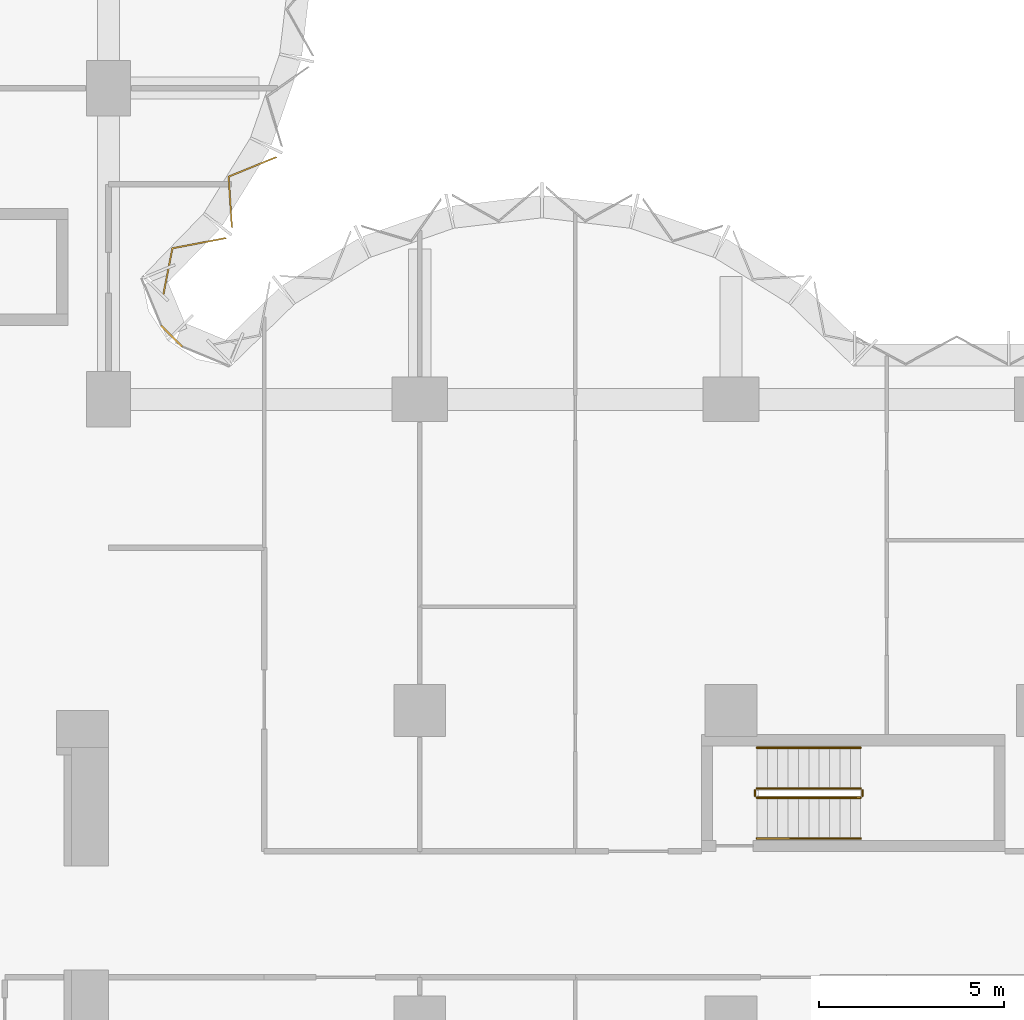
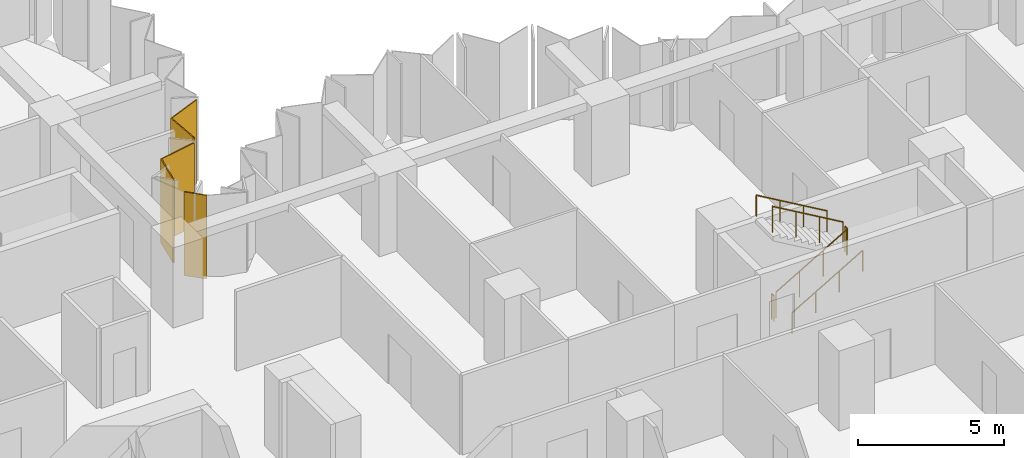
# One storey, part 14 of 15: 6 railings, 3 coverings, 2 elements without a shape of their own.
"""IFC4 building model written with IfcOpenShell, lengths in metres."""

from ifc_helpers import new_model, si_unit, direction, frame, origin, origin_2d, place, context, subcontext, project, spatial, polyline, circle, outline, extrude, material, layer, layer_set, type_object, element, aggregate, save


model = new_model("IFC4")

# Units and contexts
model_context = context("Model", 3, precision=1e-05, world=origin(), true_north=direction((0.0, 1.0)))
body_context = subcontext(model_context, "Body", "Model", "MODEL_VIEW")
ifc_project = project(units=[si_unit("LENGTHUNIT", "METRE"), si_unit("AREAUNIT", "SQUARE_METRE"), si_unit("VOLUMEUNIT", "CUBIC_METRE"), si_unit("PLANEANGLEUNIT", "RADIAN"), si_unit("MASSUNIT", "GRAM", prefix="KILO")], contexts=[model_context])

# Site, building, storey
site_placement = place(None, origin())
site = spatial("IfcSite", under=ifc_project, at=site_placement, CompositionType="ELEMENT")
building_placement = place(site_placement, origin())
building = spatial("IfcBuilding", under=site, at=building_placement, Name="Brevane Broadcast Tower", CompositionType="ELEMENT")
storey_placement = place(building_placement, frame((0.0, 0.0, 43.699951171875)))
storey = spatial("IfcBuildingStorey", under=building, at=storey_placement, Name="L08", CompositionType="ELEMENT", Elevation=43.699951171875)

# Railings
ifc_material_1 = material(Name="Steel S355", Category="steel")
railing_type_1 = type_object("IfcRailingType", Name="Exit stair guard", PredefinedType="GUARDRAIL", material=ifc_material_1)
railing_1_placement = place(storey_placement, frame((42.699951171875, 14.449951171875, 0.16357421875)))
element("IfcRailing", 1, at=railing_1_placement, inside=storey, type_object=railing_type_1, Name="L08 ST-4 stair guard 1", PredefinedType="GUARDRAIL", context=body_context, shape_type="SweptSolid", body=[
    extrude(circle(Radius=0.02392578125, at=origin_2d()), frame((0.0, 0.0, 1.076171875), z_axis=(0.863360870873, 0.0, 0.504586966384), x_axis=(0.0, 1.0, 0.0)), (0.0, 0.0, 1.0), 3.2431640625),
    extrude(circle(Radius=0.02099609375, at=origin_2d()), origin(), (0.0, 0.0, 1.0), 1.052001953125),
    extrude(circle(Radius=0.02099609375, at=origin_2d()), frame((0.933349609375, 0.0, 0.54541015625)), (0.0, 0.0, 1.0), 1.052001953125),
    extrude(circle(Radius=0.02099609375, at=origin_2d()), frame((1.86669921875, 0.0, 1.091064453125)), (0.0, 0.0, 1.0), 1.052001953125),
    extrude(circle(Radius=0.02099609375, at=origin_2d()), frame((2.800048828125, 0.0, 1.636474609375)), (0.0, 0.0, 1.0), 1.052001953125),
])
railing_2_placement = place(storey_placement, frame((45.550048828125, 14.5, 1.800048828125)))
element("IfcRailing", 2, at=railing_2_placement, inside=storey, type_object=railing_type_1, Name="L08 ST-4 stair guard 2", PredefinedType="GUARDRAIL", context=body_context, shape_type="SweptSolid", body=[
    extrude(circle(Radius=0.02392578125, at=origin_2d()), frame((0.0, 0.0, 1.076171875), z_axis=(0.0, 1.0, 0.0), x_axis=(-1.0, 0.0, 0.0)), (0.0, 0.0, 1.0), 0.14990234375),
    extrude(circle(Radius=0.02099609375, at=origin_2d()), origin(), (0.0, 0.0, 1.0), 1.052001953125),
    extrude(circle(Radius=0.02099609375, at=origin_2d()), frame((0.0, 0.14990234375, 0.0)), (0.0, 0.0, 1.0), 1.052001953125),
])
railing_3_placement = place(storey_placement, frame((45.5, 14.699951171875, 1.963623046875)))
element("IfcRailing", 3, at=railing_3_placement, inside=storey, type_object=railing_type_1, Name="L08 ST-4 stair guard 3", PredefinedType="GUARDRAIL", context=body_context, shape_type="SweptSolid", body=[
    extrude(circle(Radius=0.02392578125, at=origin_2d()), frame((0.0, 0.0, 1.076171875), z_axis=(-0.863360870873, 0.0, 0.504586966384), x_axis=(0.0, -1.0, 0.0)), (0.0, 0.0, 1.0), 3.2431640625),
    extrude(circle(Radius=0.02099609375, at=origin_2d()), origin(), (0.0, 0.0, 1.0), 1.052001953125),
    extrude(circle(Radius=0.02099609375, at=origin_2d()), frame((-0.933349609375, 0.0, 0.54541015625)), (0.0, 0.0, 1.0), 1.052001953125),
    extrude(circle(Radius=0.02099609375, at=origin_2d()), frame((-1.86669921875, 0.0, 1.091064453125)), (0.0, 0.0, 1.0), 1.052001953125),
    extrude(circle(Radius=0.02099609375, at=origin_2d()), frame((-2.800048828125, 0.0, 1.636474609375)), (0.0, 0.0, 1.0), 1.052001953125),
])
railing_4_placement = place(storey_placement, frame((42.64990234375, 14.5, 0.0)))
element("IfcRailing", 4, at=railing_4_placement, inside=storey, type_object=railing_type_1, Name="L08 ST-4 stair guard 4", PredefinedType="GUARDRAIL", context=body_context, shape_type="SweptSolid", body=[
    extrude(circle(Radius=0.02392578125, at=origin_2d()), frame((0.0, 0.0, 1.076171875), z_axis=(0.0, 1.0, 0.0), x_axis=(-1.0, 0.0, 0.0)), (0.0, 0.0, 1.0), 0.14990234375),
    extrude(circle(Radius=0.02099609375, at=origin_2d()), origin(), (0.0, 0.0, 1.0), 1.052001953125),
    extrude(circle(Radius=0.02099609375, at=origin_2d()), frame((0.0, 0.14990234375, 0.0)), (0.0, 0.0, 1.0), 1.052001953125),
])
railing_type_2 = type_object("IfcRailingType", Name="Exit stair handrail", PredefinedType="HANDRAIL", material=ifc_material_1)
railing_5_placement = place(storey_placement, frame((42.699951171875, 13.35009765625, 0.16357421875)))
element("IfcRailing", 5, at=railing_5_placement, inside=storey, type_object=railing_type_2, Name="L08 ST-4 stair handrail 1", PredefinedType="HANDRAIL", context=body_context, shape_type="SweptSolid", body=[
    extrude(circle(Radius=0.02392578125, at=origin_2d()), frame((0.0, 0.0, 0.8759765625), z_axis=(0.863360870873, 0.0, 0.504586966384), x_axis=(0.0, 1.0, 0.0)), (0.0, 0.0, 1.0), 3.2431640625),
    extrude(circle(Radius=0.02099609375, at=origin_2d()), origin(), (0.0, 0.0, 1.0), 0.851806640625),
    extrude(circle(Radius=0.02099609375, at=origin_2d()), frame((0.933349609375, 0.0, 0.54541015625)), (0.0, 0.0, 1.0), 0.851806640625),
    extrude(circle(Radius=0.02099609375, at=origin_2d()), frame((1.86669921875, 0.0, 1.091064453125)), (0.0, 0.0, 1.0), 0.851806640625),
    extrude(circle(Radius=0.02099609375, at=origin_2d()), frame((2.800048828125, 0.0, 1.636474609375)), (0.0, 0.0, 1.0), 0.851806640625),
])
railing_6_placement = place(storey_placement, frame((45.5, 15.800048828125, 1.963623046875)))
element("IfcRailing", 6, at=railing_6_placement, inside=storey, type_object=railing_type_2, Name="L08 ST-4 stair handrail 2", PredefinedType="HANDRAIL", context=body_context, shape_type="SweptSolid", body=[
    extrude(circle(Radius=0.02392578125, at=origin_2d()), frame((0.0, 0.0, 0.8759765625), z_axis=(-0.863360870873, 0.0, 0.504586966384), x_axis=(0.0, -1.0, 0.0)), (0.0, 0.0, 1.0), 3.2431640625),
    extrude(circle(Radius=0.02099609375, at=origin_2d()), origin(), (0.0, 0.0, 1.0), 0.851806640625),
    extrude(circle(Radius=0.02099609375, at=origin_2d()), frame((-0.933349609375, 0.0, 0.54541015625)), (0.0, 0.0, 1.0), 0.851806640625),
    extrude(circle(Radius=0.02099609375, at=origin_2d()), frame((-1.86669921875, 0.0, 1.091064453125)), (0.0, 0.0, 1.0), 0.851806640625),
    extrude(circle(Radius=0.02099609375, at=origin_2d()), frame((-2.800048828125, 0.0, 1.636474609375)), (0.0, 0.0, 1.0), 0.851806640625),
])

# Curtain wall, coverings
ifc_material_2 = material(Name="Aluminium 6063-T6 bronze anodised", Category="aluminium")
curtain_wall_type = type_object("IfcCurtainWallType", Name="CW-1 curtain wall", PredefinedType="NOTDEFINED", material=ifc_material_2)
curtain_wall_1_placement = place(storey_placement, origin())
curtain_wall_1 = element("IfcCurtainWall", 7, at=curtain_wall_1_placement, inside=storey, type_object=curtain_wall_type, Name="CW-1 typical tilted unit L08 north bow", PredefinedType="NOTDEFINED")
ifc_material_3 = material(Name="Back-painted bronze glass shadow-box", Category="glass")
ifc_layer = layer(ifc_material_3, 0.0400390625)
ifc_layer_set = layer_set([ifc_layer], Name="Shadow-box panel 40")
covering_type = type_object("IfcCoveringType", Name="Shadow-box panel 40", PredefinedType="CLADDING", material=ifc_layer_set)
covering_1_placement = place(storey_placement, frame((0.0, 0.0, -0.14990234375)))
covering_1 = element("IfcCovering", 8, at=covering_1_placement, type_object=covering_type, Name="Shadow-box panel", PredefinedType="CLADDING", context=body_context, shape_type="SweptSolid", body=[
    extrude(outline(polyline([(26.656005859375, 28.008544921875), (26.690185546875, 27.975341796875), (26.9423828125, 29.2607421875), (28.3857421875, 29.535888671875), (28.34375, 29.568603515625), (26.908203125, 29.294921875), (26.656005859375, 28.008544921875)])), origin(), (0.0, 0.0, 1.0), 3.5),
])
covering_2_placement = place(storey_placement, frame((0.0, 0.0, -0.14990234375)))
covering_2 = element("IfcCovering", 9, at=covering_2_placement, type_object=covering_type, Name="Shadow-box panel", PredefinedType="CLADDING", context=body_context, shape_type="SweptSolid", body=[
    extrude(outline(polyline([(28.5087890625, 29.849609375), (28.551025390625, 29.816650390625), (28.462890625, 31.198486328125), (29.76171875, 31.729736328125), (29.712890625, 31.753173828125), (28.42138671875, 31.224609375), (28.5087890625, 29.849609375)])), origin(), (0.0, 0.0, 1.0), 3.5),
])
aggregate(curtain_wall_1, [covering_1, covering_2])

# Curtain wall, covering
curtain_wall_2_placement = place(storey_placement, origin())
curtain_wall_2 = element("IfcCurtainWall", 10, at=curtain_wall_2_placement, inside=storey, type_object=curtain_wall_type, Name="CW-1 typical tilted unit L08 inner corner", PredefinedType="NOTDEFINED")
covering_3_placement = place(storey_placement, frame((0.0, 0.0, -0.14990234375)))
covering_3 = element("IfcCovering", 11, at=covering_3_placement, type_object=covering_type, Name="Closure panel", PredefinedType="CLADDING", context=body_context, shape_type="SweptSolid", body=[
    extrude(outline(polyline([(27.17138671875, 26.60498046875), (27.2021484375, 26.635498046875), (26.635498046875, 27.2021484375), (26.60498046875, 27.17138671875), (27.17138671875, 26.60498046875)])), origin(), (0.0, 0.0, 1.0), 3.5),
])
aggregate(curtain_wall_2, [covering_3])

save(model, "model.ifc")
